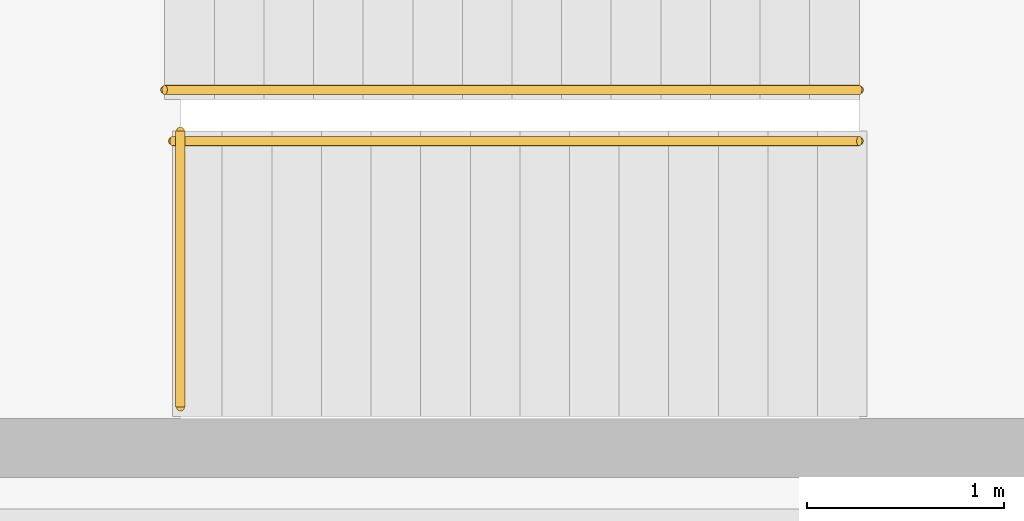
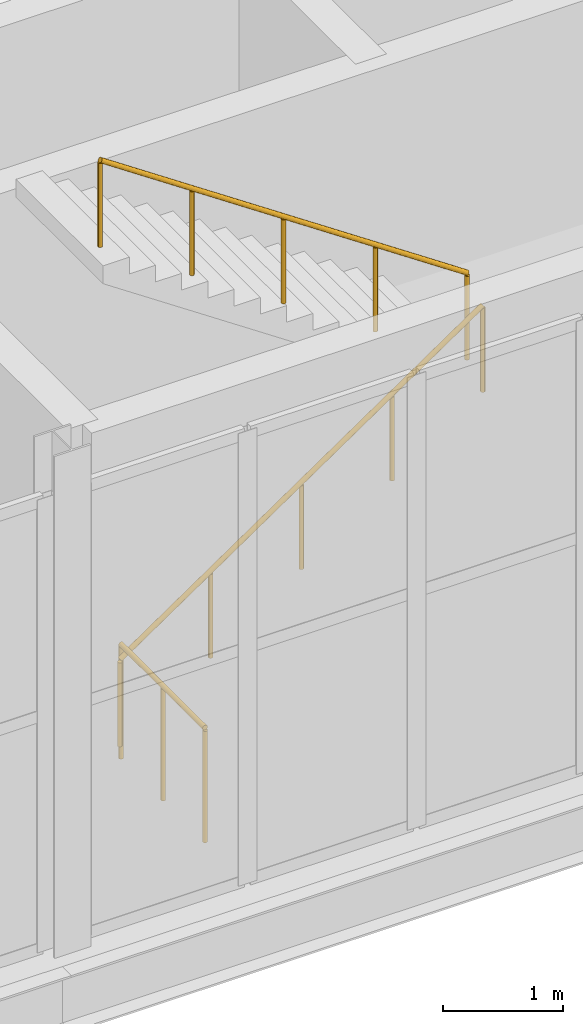
# One storey, part 212 of 218: 3 railings.
"""IFC4 building model written with IfcOpenShell, lengths in metres."""

from ifc_helpers import new_model, si_unit, direction, frame, origin, origin_2d, place, context, subcontext, project, spatial, circle, extrude, material, type_object, element, save


model = new_model("IFC4")

# Units and contexts
model_context = context("Model", 3, precision=1e-05, world=origin(), true_north=direction((0.0, 1.0)))
body_context = subcontext(model_context, "Body", "Model", "MODEL_VIEW")
ifc_project = project(units=[si_unit("LENGTHUNIT", "METRE"), si_unit("AREAUNIT", "SQUARE_METRE"), si_unit("VOLUMEUNIT", "CUBIC_METRE"), si_unit("PLANEANGLEUNIT", "RADIAN"), si_unit("MASSUNIT", "GRAM", prefix="KILO")], contexts=[model_context])

# Site, building, storey
site_placement = place(None, origin())
site = spatial("IfcSite", under=ifc_project, at=site_placement, CompositionType="ELEMENT")
building_placement = place(site_placement, origin())
building = spatial("IfcBuilding", under=site, at=building_placement, Name="Kazenagashi Tramway Depot", CompositionType="ELEMENT")
storey_placement = place(building_placement, frame((0.0, 0.0, 6.0)))
storey = spatial("IfcBuildingStorey", under=building, at=storey_placement, Name="L02", CompositionType="ELEMENT", Elevation=6.0)

# Railings
ifc_material_1 = material(Name="Galvanised Painted Steel Balustrade", Category="steel")
railing_type_1 = type_object("IfcRailingType", Name="GR-01", PredefinedType="GUARDRAIL", material=ifc_material_1)
railing_1_placement = place(storey_placement, frame((54.96, 17.17, 0.0)))
element("IfcRailing", 1, at=railing_1_placement, inside=storey, type_object=railing_type_1, Name="Stairwell ST-17 Arrival Guardrail", PredefinedType="GUARDRAIL", context=body_context, shape_type="SweptSolid", body=[
    extrude(circle(Radius=0.024, at=origin_2d()), frame((0.0, 0.0, 1.156), z_axis=(0.0, 1.0, 0.0), x_axis=(-1.0, 0.0, 0.0)), (0.0, 0.0, 1.0), 1.4),
    extrude(circle(Radius=0.021, at=origin_2d()), origin(), (0.0, 0.0, 1.0), 1.132),
    extrude(circle(Radius=0.021, at=origin_2d()), frame((0.0, 0.7, 0.0)), (0.0, 0.0, 1.0), 1.132),
    extrude(circle(Radius=0.021, at=origin_2d()), frame((0.0, 1.4, 0.0)), (0.0, 0.0, 1.0), 1.132),
])
ifc_material_2 = material(Name="Brushed Stainless Steel Handrail", Category="steel")
railing_type_2 = type_object("IfcRailingType", Name="HR-01", PredefinedType="HANDRAIL", material=ifc_material_2)
railing_2_placement = place(storey_placement, frame((54.92, 18.52, 0.17)))
element("IfcRailing", 2, at=railing_2_placement, inside=storey, type_object=railing_type_2, Name="Stair ST-18 Lower Handrail", PredefinedType="HANDRAIL", context=body_context, shape_type="SweptSolid", body=[
    extrude(circle(Radius=0.024, at=origin_2d()), frame((0.0, 0.0, 0.876), z_axis=(0.826026878985, 0.0, 0.563630725913), x_axis=(0.0, 1.0, 0.0)), (0.0, 0.0, 1.0), 4.222623),
    extrude(circle(Radius=0.021, at=origin_2d()), origin(), (0.0, 0.0, 1.0), 0.852),
    extrude(circle(Radius=0.021, at=origin_2d()), frame((0.872, 0.0, 0.595)), (0.0, 0.0, 1.0), 0.852),
    extrude(circle(Radius=0.021, at=origin_2d()), frame((1.744, 0.0, 1.19)), (0.0, 0.0, 1.0), 0.852),
    extrude(circle(Radius=0.021, at=origin_2d()), frame((2.616, 0.0, 1.785)), (0.0, 0.0, 1.0), 0.852),
    extrude(circle(Radius=0.021, at=origin_2d()), frame((3.488, 0.0, 2.38)), (0.0, 0.0, 1.0), 0.852),
])
railing_3_placement = place(storey_placement, frame((58.408, 18.78, 2.72)))
element("IfcRailing", 3, at=railing_3_placement, inside=storey, type_object=railing_type_2, Name="Stair ST-18 Upper Handrail", PredefinedType="HANDRAIL", context=body_context, shape_type="SweptSolid", body=[
    extrude(circle(Radius=0.024, at=origin_2d()), frame((0.0, 0.0, 0.876), z_axis=(-0.829001192095, 0.0, 0.559246835937), x_axis=(0.0, -1.0, 0.0)), (0.0, 0.0, 1.0), 4.255724),
    extrude(circle(Radius=0.021, at=origin_2d()), origin(), (0.0, 0.0, 1.0), 0.852),
    extrude(circle(Radius=0.021, at=origin_2d()), frame((-0.882, 0.0, 0.595)), (0.0, 0.0, 1.0), 0.852),
    extrude(circle(Radius=0.021, at=origin_2d()), frame((-1.764, 0.0, 1.19)), (0.0, 0.0, 1.0), 0.852),
    extrude(circle(Radius=0.021, at=origin_2d()), frame((-2.646, 0.0, 1.785)), (0.0, 0.0, 1.0), 0.852),
    extrude(circle(Radius=0.021, at=origin_2d()), frame((-3.528, 0.0, 2.38)), (0.0, 0.0, 1.0), 0.852),
])

save(model, "model.ifc")
